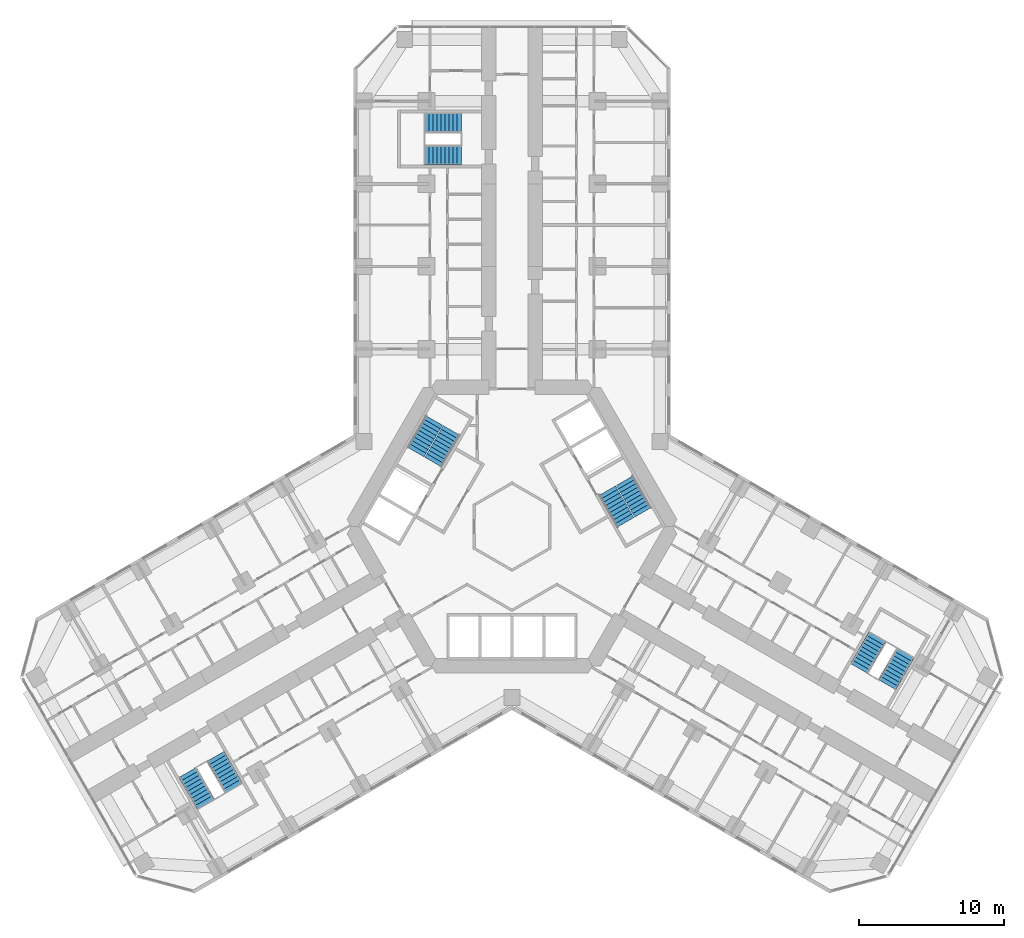
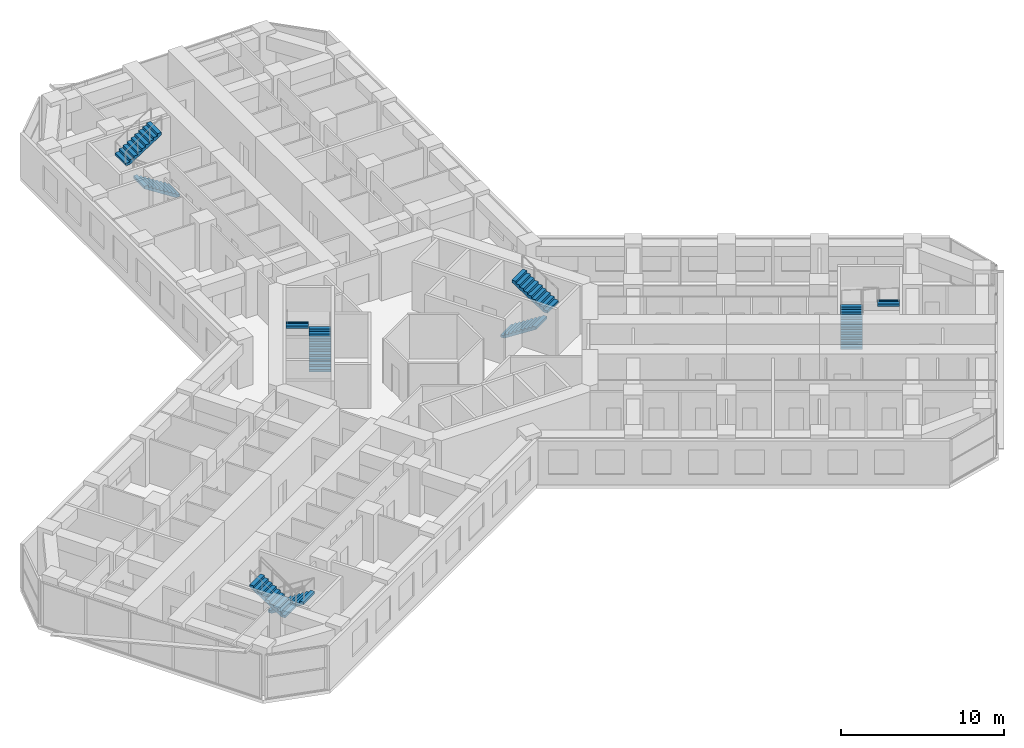
# One storey, part 20 of 21: 10 stair flights, 5 elements without a shape of their own.
"""IFC4 building model written with IfcOpenShell, lengths in metres."""

from ifc_helpers import new_model, si_unit, direction, frame, origin, place, context, subcontext, project, spatial, polyline, outline, extrude, material, type_object, element, aggregate, save


model = new_model("IFC4")

# Units and contexts
model_context = context("Model", 3, precision=1e-05, world=origin(), true_north=direction((0.0, 1.0)))
body_context = subcontext(model_context, "Body", "Model", "MODEL_VIEW")
ifc_project = project(units=[si_unit("LENGTHUNIT", "METRE"), si_unit("AREAUNIT", "SQUARE_METRE"), si_unit("VOLUMEUNIT", "CUBIC_METRE"), si_unit("PLANEANGLEUNIT", "RADIAN"), si_unit("MASSUNIT", "GRAM", prefix="KILO")], contexts=[model_context])

# Site, building, storey
site_placement = place(None, origin())
site = spatial("IfcSite", under=ifc_project, at=site_placement, CompositionType="ELEMENT")
building_placement = place(site_placement, origin())
building = spatial("IfcBuilding", under=site, at=building_placement, Name="Kosmar Iwan School Tower", CompositionType="ELEMENT")
storey_placement = place(building_placement, frame((0.0, 0.0, 28.800048828125)))
storey = spatial("IfcBuildingStorey", under=building, at=storey_placement, Name="L06", CompositionType="ELEMENT", Elevation=28.800048828125)

# Stair, stair flights
ifc_material_1 = material(Name="Concrete C35/45", Category="concrete")
stair_type_1 = type_object("IfcStairType", Name="Escape stair 3600", PredefinedType="HALF_TURN_STAIR", material=ifc_material_1)
stair_1_placement = place(storey_placement, origin())
stair_1 = element("IfcStair", 1, at=stair_1_placement, inside=storey, type_object=stair_type_1, Name="Stair WS1 L06", PredefinedType="HALF_TURN_STAIR")
ifc_material_2 = material(Name="Concrete C35/45", Category="concrete")
stair_flight_type_1 = type_object("IfcStairFlightType", Name="Escape stair flight 1350", PredefinedType="STRAIGHT", material=ifc_material_2)
stair_flight_1_placement = place(storey_placement, frame((-3.5, 25.625, 0.0), z_axis=(0.0, 0.0, 1.0), x_axis=(-1.0, 0.0, 0.0)))
stair_flight_1 = element("IfcStairFlight", 2, at=stair_flight_1_placement, type_object=stair_flight_type_1, Name="WS1 flight 1", NumberOfRisers=10, NumberOfTreads=9, PredefinedType="STRAIGHT", RiserHeight=0.18, TreadLength=0.28, context=body_context, shape_type="SweptSolid", body=[
    extrude(outline(polyline([(0.0, 0.0), (0.0, 0.179931640625), (0.280029296875, 0.179931640625), (0.280029296875, 0.360107421875), (0.56005859375, 0.360107421875), (0.56005859375, 0.5400390625), (0.840087890625, 0.5400390625), (0.840087890625, 0.719970703125), (1.1201171875, 0.719970703125), (1.1201171875, 0.89990234375), (1.39990234375, 0.89990234375), (1.39990234375, 1.080078125), (1.679931640625, 1.080078125), (1.679931640625, 1.260009765625), (1.9599609375, 1.260009765625), (1.9599609375, 1.43994140625), (2.239990234375, 1.43994140625), (2.239990234375, 1.6201171875), (2.52001953125, 1.6201171875), (2.52001953125, 1.800048828125), (2.52001953125, 1.44189453125), (0.277099609375, 0.0), (0.0, 0.0)])), frame((0.0, 0.675048828125, 0.0), z_axis=(0.0, -1.0, 0.0), x_axis=(1.0, 0.0, 0.0)), (0.0, 0.0, 1.0), 1.35009765625),
])
stair_flight_2_placement = place(storey_placement, frame((-6.02001953125, 27.875, 1.800048828125), z_axis=(0.0, 0.0, 1.0), x_axis=(1.0, 0.0, 0.0)))
stair_flight_2 = element("IfcStairFlight", 3, at=stair_flight_2_placement, type_object=stair_flight_type_1, Name="WS1 flight 2", NumberOfRisers=10, NumberOfTreads=9, PredefinedType="STRAIGHT", RiserHeight=0.18, TreadLength=0.28, context=body_context, shape_type="SweptSolid", body=[
    extrude(outline(polyline([(0.0, 0.0), (0.0, 0.179931640625), (0.280029296875, 0.179931640625), (0.280029296875, 0.360107421875), (0.56005859375, 0.360107421875), (0.56005859375, 0.5400390625), (0.840087890625, 0.5400390625), (0.840087890625, 0.719970703125), (1.1201171875, 0.719970703125), (1.1201171875, 0.89990234375), (1.39990234375, 0.89990234375), (1.39990234375, 1.080078125), (1.679931640625, 1.080078125), (1.679931640625, 1.260009765625), (1.9599609375, 1.260009765625), (1.9599609375, 1.43994140625), (2.239990234375, 1.43994140625), (2.239990234375, 1.6201171875), (2.52001953125, 1.6201171875), (2.52001953125, 1.800048828125), (2.52001953125, 1.44189453125), (0.277099609375, 0.0), (0.0, 0.0)])), frame((0.0, 0.675048828125, 0.0), z_axis=(0.0, -1.0, 0.0), x_axis=(1.0, 0.0, 0.0)), (0.0, 0.0, 1.0), 1.35009765625),
])
aggregate(stair_1, [stair_flight_1, stair_flight_2])

stair_2_placement = place(storey_placement, origin())
stair_2 = element("IfcStair", 4, at=stair_2_placement, inside=storey, type_object=stair_type_1, Name="Stair WS2 L06", PredefinedType="HALF_TURN_STAIR")
stair_flight_3_placement = place(storey_placement, frame((-20.44189453125, -15.843505859375, 0.0), z_axis=(0.0, 0.0, 1.0), x_axis=(0.5, -0.866025403784, 0.0)))
stair_flight_3 = element("IfcStairFlight", 5, at=stair_flight_3_placement, type_object=stair_flight_type_1, Name="WS2 flight 1", NumberOfRisers=10, NumberOfTreads=9, PredefinedType="STRAIGHT", RiserHeight=0.18, TreadLength=0.28, context=body_context, shape_type="SweptSolid", body=[
    extrude(outline(polyline([(0.0, 0.0), (0.0, 0.179931640625), (0.280029296875, 0.179931640625), (0.280029296875, 0.360107421875), (0.56005859375, 0.360107421875), (0.56005859375, 0.5400390625), (0.840087890625, 0.5400390625), (0.840087890625, 0.719970703125), (1.1201171875, 0.719970703125), (1.1201171875, 0.89990234375), (1.39990234375, 0.89990234375), (1.39990234375, 1.080078125), (1.679931640625, 1.080078125), (1.679931640625, 1.260009765625), (1.9599609375, 1.260009765625), (1.9599609375, 1.43994140625), (2.239990234375, 1.43994140625), (2.239990234375, 1.6201171875), (2.52001953125, 1.6201171875), (2.52001953125, 1.800048828125), (2.52001953125, 1.44189453125), (0.277099609375, 0.0), (0.0, 0.0)])), frame((0.0, 0.675048828125, 0.0), z_axis=(0.0, -1.0, 0.0), x_axis=(1.0, 0.0, 0.0)), (0.0, 0.0, 1.0), 1.35009765625),
])
stair_flight_4_placement = place(storey_placement, frame((-21.13037109375, -19.15087890625, 1.800048828125), z_axis=(0.0, 0.0, 1.0), x_axis=(-0.5, 0.866025403784, 0.0)))
stair_flight_4 = element("IfcStairFlight", 6, at=stair_flight_4_placement, type_object=stair_flight_type_1, Name="WS2 flight 2", NumberOfRisers=10, NumberOfTreads=9, PredefinedType="STRAIGHT", RiserHeight=0.18, TreadLength=0.28, context=body_context, shape_type="SweptSolid", body=[
    extrude(outline(polyline([(0.0, 0.0), (0.0, 0.179931640625), (0.280029296875, 0.179931640625), (0.280029296875, 0.360107421875), (0.56005859375, 0.360107421875), (0.56005859375, 0.5400390625), (0.840087890625, 0.5400390625), (0.840087890625, 0.719970703125), (1.1201171875, 0.719970703125), (1.1201171875, 0.89990234375), (1.39990234375, 0.89990234375), (1.39990234375, 1.080078125), (1.679931640625, 1.080078125), (1.679931640625, 1.260009765625), (1.9599609375, 1.260009765625), (1.9599609375, 1.43994140625), (2.239990234375, 1.43994140625), (2.239990234375, 1.6201171875), (2.52001953125, 1.6201171875), (2.52001953125, 1.800048828125), (2.52001953125, 1.44189453125), (0.277099609375, 0.0), (0.0, 0.0)])), frame((0.0, 0.675048828125, 0.0), z_axis=(0.0, -1.0, 0.0), x_axis=(1.0, 0.0, 0.0)), (0.0, 0.0, 1.0), 1.35009765625),
])
aggregate(stair_2, [stair_flight_3, stair_flight_4])

stair_3_placement = place(storey_placement, origin())
stair_3 = element("IfcStair", 7, at=stair_3_placement, inside=storey, type_object=stair_type_1, Name="Stair WS3 L06", PredefinedType="HALF_TURN_STAIR")
stair_flight_5_placement = place(storey_placement, frame((23.94189453125, -9.781494140625, 0.0), z_axis=(0.0, 0.0, 1.0), x_axis=(0.5, 0.866025403784, 0.0)))
stair_flight_5 = element("IfcStairFlight", 8, at=stair_flight_5_placement, type_object=stair_flight_type_1, Name="WS3 flight 1", NumberOfRisers=10, NumberOfTreads=9, PredefinedType="STRAIGHT", RiserHeight=0.18, TreadLength=0.28, context=body_context, shape_type="SweptSolid", body=[
    extrude(outline(polyline([(0.0, 0.0), (0.0, 0.179931640625), (0.280029296875, 0.179931640625), (0.280029296875, 0.360107421875), (0.56005859375, 0.360107421875), (0.56005859375, 0.5400390625), (0.840087890625, 0.5400390625), (0.840087890625, 0.719970703125), (1.1201171875, 0.719970703125), (1.1201171875, 0.89990234375), (1.39990234375, 0.89990234375), (1.39990234375, 1.080078125), (1.679931640625, 1.080078125), (1.679931640625, 1.260009765625), (1.9599609375, 1.260009765625), (1.9599609375, 1.43994140625), (2.239990234375, 1.43994140625), (2.239990234375, 1.6201171875), (2.52001953125, 1.6201171875), (2.52001953125, 1.800048828125), (2.52001953125, 1.44189453125), (0.277099609375, 0.0), (0.0, 0.0)])), frame((0.0, 0.675048828125, 0.0), z_axis=(0.0, -1.0, 0.0), x_axis=(1.0, 0.0, 0.0)), (0.0, 0.0, 1.0), 1.35009765625),
])
stair_flight_6_placement = place(storey_placement, frame((27.150390625, -8.72412109375, 1.800048828125), z_axis=(0.0, 0.0, 1.0), x_axis=(-0.5, -0.866025403784, 0.0)))
stair_flight_6 = element("IfcStairFlight", 9, at=stair_flight_6_placement, type_object=stair_flight_type_1, Name="WS3 flight 2", NumberOfRisers=10, NumberOfTreads=9, PredefinedType="STRAIGHT", RiserHeight=0.18, TreadLength=0.28, context=body_context, shape_type="SweptSolid", body=[
    extrude(outline(polyline([(0.0, 0.0), (0.0, 0.179931640625), (0.280029296875, 0.179931640625), (0.280029296875, 0.360107421875), (0.56005859375, 0.360107421875), (0.56005859375, 0.5400390625), (0.840087890625, 0.5400390625), (0.840087890625, 0.719970703125), (1.1201171875, 0.719970703125), (1.1201171875, 0.89990234375), (1.39990234375, 0.89990234375), (1.39990234375, 1.080078125), (1.679931640625, 1.080078125), (1.679931640625, 1.260009765625), (1.9599609375, 1.260009765625), (1.9599609375, 1.43994140625), (2.239990234375, 1.43994140625), (2.239990234375, 1.6201171875), (2.52001953125, 1.6201171875), (2.52001953125, 1.800048828125), (2.52001953125, 1.44189453125), (0.277099609375, 0.0), (0.0, 0.0)])), frame((0.0, 0.675048828125, 0.0), z_axis=(0.0, -1.0, 0.0), x_axis=(1.0, 0.0, 0.0)), (0.0, 0.0, 1.0), 1.35009765625),
])
aggregate(stair_3, [stair_flight_5, stair_flight_6])

ifc_material_3 = material(Name="Concrete C35/45", Category="concrete")
stair_type_2 = type_object("IfcStairType", Name="Core stair 2750", PredefinedType="HALF_TURN_STAIR", material=ifc_material_3)
stair_4_placement = place(storey_placement, origin())
stair_4 = element("IfcStair", 10, at=stair_4_placement, inside=storey, type_object=stair_type_2, Name="Stair ST2 L06", PredefinedType="HALF_TURN_STAIR")
ifc_material_4 = material(Name="Concrete C35/45", Category="concrete")
stair_flight_type_2 = type_object("IfcStairFlightType", Name="Stair flight 1350", PredefinedType="STRAIGHT", material=ifc_material_4)
stair_flight_7_placement = place(storey_placement, frame((-5.42724609375, 4.44970703125, 0.0), z_axis=(0.0, 0.0, 1.0), x_axis=(0.5, 0.866025403784, 0.0)))
stair_flight_7 = element("IfcStairFlight", 11, at=stair_flight_7_placement, type_object=stair_flight_type_2, Name="ST2 flight 1", NumberOfRisers=10, NumberOfTreads=9, PredefinedType="STRAIGHT", RiserHeight=0.18, TreadLength=0.28, context=body_context, shape_type="SweptSolid", body=[
    extrude(outline(polyline([(0.0, 0.0), (0.0, 0.179931640625), (0.280029296875, 0.179931640625), (0.280029296875, 0.360107421875), (0.56005859375, 0.360107421875), (0.56005859375, 0.5400390625), (0.840087890625, 0.5400390625), (0.840087890625, 0.719970703125), (1.1201171875, 0.719970703125), (1.1201171875, 0.89990234375), (1.39990234375, 0.89990234375), (1.39990234375, 1.080078125), (1.679931640625, 1.080078125), (1.679931640625, 1.260009765625), (1.9599609375, 1.260009765625), (1.9599609375, 1.43994140625), (2.239990234375, 1.43994140625), (2.239990234375, 1.6201171875), (2.52001953125, 1.6201171875), (2.52001953125, 1.800048828125), (2.52001953125, 1.44189453125), (0.277099609375, 0.0), (0.0, 0.0)])), frame((0.0, 0.675048828125, 0.0), z_axis=(0.0, -1.0, 0.0), x_axis=(1.0, 0.0, 0.0)), (0.0, 0.0, 1.0), 1.35009765625),
])
stair_flight_8_placement = place(storey_placement, frame((-5.379638671875, 7.33203125, 1.800048828125), z_axis=(0.0, 0.0, 1.0), x_axis=(-0.5, -0.866025403784, 0.0)))
stair_flight_8 = element("IfcStairFlight", 12, at=stair_flight_8_placement, type_object=stair_flight_type_2, Name="ST2 flight 2", NumberOfRisers=10, NumberOfTreads=9, PredefinedType="STRAIGHT", RiserHeight=0.18, TreadLength=0.28, context=body_context, shape_type="SweptSolid", body=[
    extrude(outline(polyline([(0.0, 0.0), (0.0, 0.179931640625), (0.280029296875, 0.179931640625), (0.280029296875, 0.360107421875), (0.56005859375, 0.360107421875), (0.56005859375, 0.5400390625), (0.840087890625, 0.5400390625), (0.840087890625, 0.719970703125), (1.1201171875, 0.719970703125), (1.1201171875, 0.89990234375), (1.39990234375, 0.89990234375), (1.39990234375, 1.080078125), (1.679931640625, 1.080078125), (1.679931640625, 1.260009765625), (1.9599609375, 1.260009765625), (1.9599609375, 1.43994140625), (2.239990234375, 1.43994140625), (2.239990234375, 1.6201171875), (2.52001953125, 1.6201171875), (2.52001953125, 1.800048828125), (2.52001953125, 1.44189453125), (0.277099609375, 0.0), (0.0, 0.0)])), frame((0.0, 0.675048828125, 0.0), z_axis=(0.0, -1.0, 0.0), x_axis=(1.0, 0.0, 0.0)), (0.0, 0.0, 1.0), 1.35009765625),
])
aggregate(stair_4, [stair_flight_7, stair_flight_8])

stair_5_placement = place(storey_placement, origin())
stair_5 = element("IfcStair", 13, at=stair_5_placement, inside=storey, type_object=stair_type_2, Name="Stair ST1 L06", PredefinedType="HALF_TURN_STAIR")
stair_flight_9_placement = place(storey_placement, frame((6.567138671875, 2.475341796875, 0.0), z_axis=(0.0, 0.0, 1.0), x_axis=(0.5, -0.866025403784, 0.0)))
stair_flight_9 = element("IfcStairFlight", 14, at=stair_flight_9_placement, type_object=stair_flight_type_2, Name="ST1 flight 1", NumberOfRisers=10, NumberOfTreads=9, PredefinedType="STRAIGHT", RiserHeight=0.18, TreadLength=0.28, context=body_context, shape_type="SweptSolid", body=[
    extrude(outline(polyline([(0.0, 0.0), (0.0, 0.179931640625), (0.280029296875, 0.179931640625), (0.280029296875, 0.360107421875), (0.56005859375, 0.360107421875), (0.56005859375, 0.5400390625), (0.840087890625, 0.5400390625), (0.840087890625, 0.719970703125), (1.1201171875, 0.719970703125), (1.1201171875, 0.89990234375), (1.39990234375, 0.89990234375), (1.39990234375, 1.080078125), (1.679931640625, 1.080078125), (1.679931640625, 1.260009765625), (1.9599609375, 1.260009765625), (1.9599609375, 1.43994140625), (2.239990234375, 1.43994140625), (2.239990234375, 1.6201171875), (2.52001953125, 1.6201171875), (2.52001953125, 1.800048828125), (2.52001953125, 1.44189453125), (0.277099609375, 0.0), (0.0, 0.0)])), frame((0.0, 0.675048828125, 0.0), z_axis=(0.0, -1.0, 0.0), x_axis=(1.0, 0.0, 0.0)), (0.0, 0.0, 1.0), 1.35009765625),
])
stair_flight_10_placement = place(storey_placement, frame((9.03955078125, 0.992919921875, 1.800048828125), z_axis=(0.0, 0.0, 1.0), x_axis=(-0.5, 0.866025403784, 0.0)))
stair_flight_10 = element("IfcStairFlight", 15, at=stair_flight_10_placement, type_object=stair_flight_type_2, Name="ST1 flight 2", NumberOfRisers=10, NumberOfTreads=9, PredefinedType="STRAIGHT", RiserHeight=0.18, TreadLength=0.28, context=body_context, shape_type="SweptSolid", body=[
    extrude(outline(polyline([(0.0, 0.0), (0.0, 0.179931640625), (0.280029296875, 0.179931640625), (0.280029296875, 0.360107421875), (0.56005859375, 0.360107421875), (0.56005859375, 0.5400390625), (0.840087890625, 0.5400390625), (0.840087890625, 0.719970703125), (1.1201171875, 0.719970703125), (1.1201171875, 0.89990234375), (1.39990234375, 0.89990234375), (1.39990234375, 1.080078125), (1.679931640625, 1.080078125), (1.679931640625, 1.260009765625), (1.9599609375, 1.260009765625), (1.9599609375, 1.43994140625), (2.239990234375, 1.43994140625), (2.239990234375, 1.6201171875), (2.52001953125, 1.6201171875), (2.52001953125, 1.800048828125), (2.52001953125, 1.44189453125), (0.277099609375, 0.0), (0.0, 0.0)])), frame((0.0, 0.675048828125, 0.0), z_axis=(0.0, -1.0, 0.0), x_axis=(1.0, 0.0, 0.0)), (0.0, 0.0, 1.0), 1.35009765625),
])
aggregate(stair_5, [stair_flight_9, stair_flight_10])

save(model, "model.ifc")
